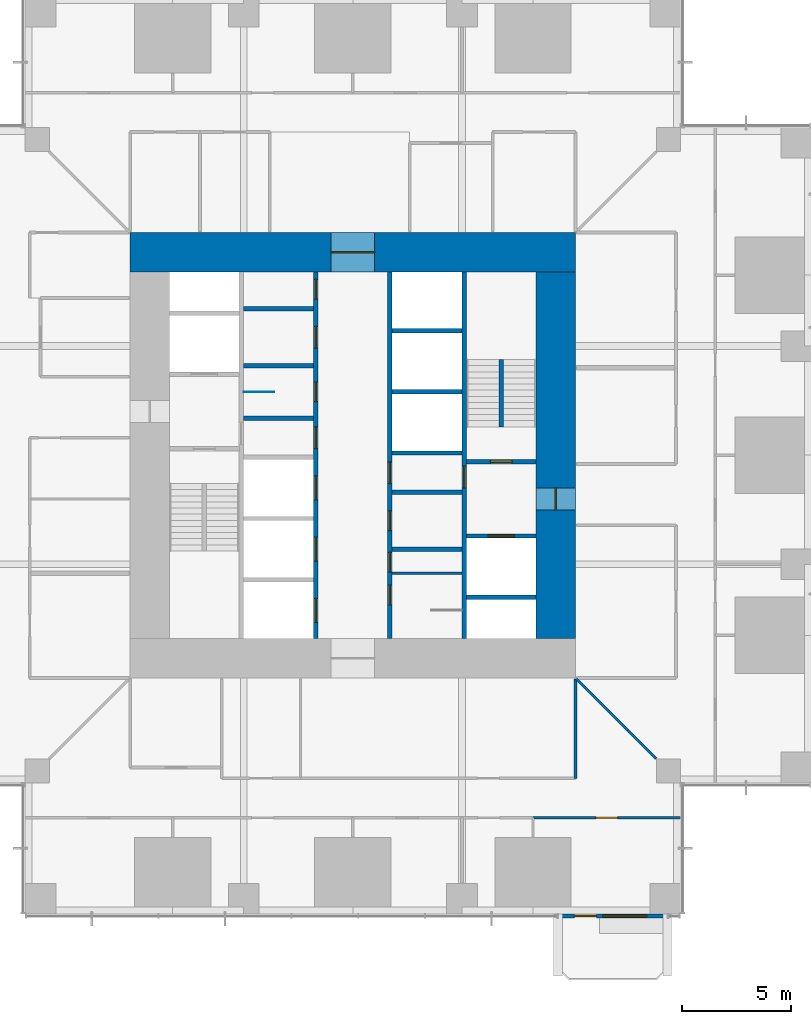
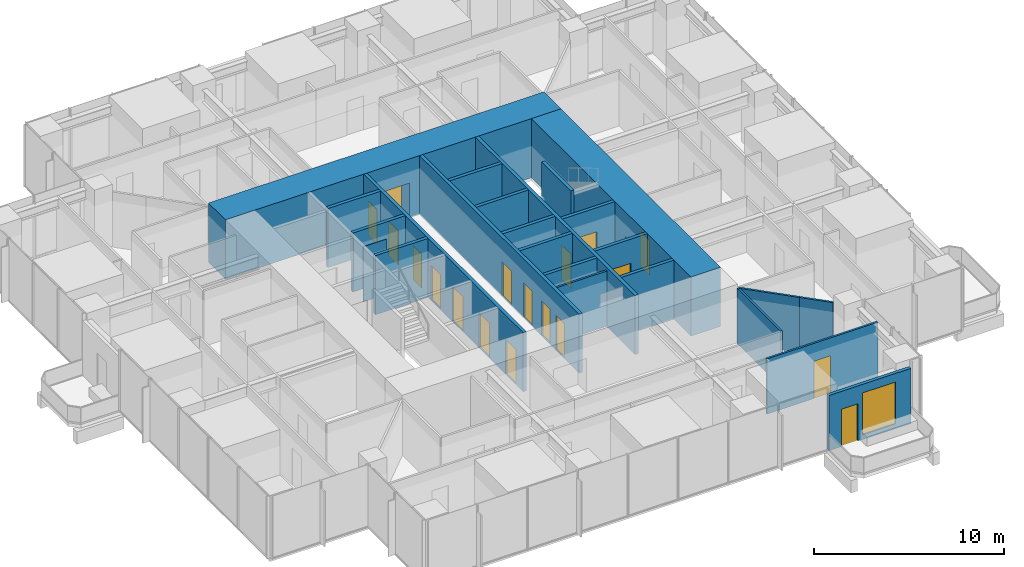
# One storey, part 11 of 17: 24 walls, 18 doors, 1 window, 19 openings.
"""IFC4 building model written with IfcOpenShell, lengths in metres."""

from ifc_helpers import new_model, si_unit, direction, frame, frame_2d, origin, place, context, subcontext, project, spatial, rectangle, extrude, material, layer, layer_set, type_object, element, fill, save


model = new_model("IFC4")

# Units and contexts
model_context = context("Model", 3, precision=1e-05, world=origin(), true_north=direction((0.0, 1.0)))
body_context = subcontext(model_context, "Body", "Model", "MODEL_VIEW")
ifc_project = project(units=[si_unit("LENGTHUNIT", "METRE"), si_unit("AREAUNIT", "SQUARE_METRE"), si_unit("VOLUMEUNIT", "CUBIC_METRE"), si_unit("PLANEANGLEUNIT", "RADIAN"), si_unit("MASSUNIT", "GRAM", prefix="KILO")], contexts=[model_context])

# Site, building, storey
site_placement = place(None, origin())
site = spatial("IfcSite", under=ifc_project, at=site_placement, CompositionType="ELEMENT")
building_placement = place(site_placement, origin())
building = spatial("IfcBuilding", under=site, at=building_placement, Name="Svetlomir Tower", CompositionType="ELEMENT")
storey_placement = place(building_placement, frame((0.0, 0.0, 82.5)))
storey = spatial("IfcBuildingStorey", under=building, at=storey_placement, Name="L19", CompositionType="ELEMENT", Elevation=82.5)

# Wall, openings, door, window
ifc_material_1 = material(Name="Bronze anodised aluminium glazed screen", Category="aluminium")
ifc_layer_1 = layer(ifc_material_1, 0.199951171875)
ifc_layer_set_1 = layer_set([ifc_layer_1], Name="Bronze anodised aluminium glazed screen")
wall_type_1 = type_object("IfcWallType", Name="BALCONY SCREEN WALL 200", PredefinedType="USERDEFINED", material=ifc_layer_set_1)
wall_1_placement = place(storey_placement, frame((30.39990234375, -0.10009765625, 0.0), z_axis=(0.0, 0.0, 1.0), x_axis=(1.0, 0.0, 0.0)))
wall_1 = element("IfcWall", 1, at=wall_1_placement, inside=storey, type_object=wall_type_1, Name="Balcony screen S", ObjectType="GLAZED SCREEN", PredefinedType="USERDEFINED", context=body_context, shape_type="SweptSolid", body=[
    extrude(rectangle(XDim=5.0, YDim=0.199951171875, at=frame_2d((2.5, 0.0))), origin(), (0.0, 0.0, 1.0), 3.550048828125),
])
opening_1_placement = place(wall_1_placement, frame((0.75, 0.0, 0.0)))
opening_1 = element("IfcOpeningElement", 2, at=opening_1_placement, cuts=wall_1, Name="Opening BD", PredefinedType="OPENING", context=body_context, shape_type="SweptSolid", body=[
    extrude(rectangle(XDim=1.0, YDim=2.39990234375, at=frame_2d((0.5, 1.199951171875))), frame((0.0, 0.10986328125, 0.0), z_axis=(0.0, -1.0, 0.0), x_axis=(1.0, 0.0, 0.0)), (0.0, 0.0, 1.0), 0.219970703125),
])
opening_2_placement = place(wall_1_placement, frame((2.050048828125, 0.0, 0.300048828125)))
opening_2 = element("IfcOpeningElement", 3, at=opening_2_placement, cuts=wall_1, Name="Opening WS", PredefinedType="OPENING", context=body_context, shape_type="SweptSolid", body=[
    extrude(rectangle(XDim=2.0, YDim=2.699951171875, at=frame_2d((1.0, 1.35009765625))), frame((0.0, 0.10986328125, 0.0), z_axis=(0.0, -1.0, 0.0), x_axis=(1.0, 0.0, 0.0)), (0.0, 0.0, 1.0), 0.219970703125),
])
ifc_material_2 = material(Name="Bronze anodised aluminium glazed door", Category="aluminium")
door_type_1 = type_object("IfcDoorType", Name="BALCONY DOOR BD 1000x2400", OperationType="SINGLE_SWING_LEFT", PredefinedType="DOOR", material=ifc_material_2)
door_1_placement = place(opening_1_placement, origin())
door_1 = element("IfcDoor", 4, at=door_1_placement, inside=storey, type_object=door_type_1, Name="Balcony screen S door", OperationType="SINGLE_SWING_LEFT", OverallHeight=2.39990234375, OverallWidth=1.0, PredefinedType="DOOR", context=body_context, shape_type="SweptSolid", body=[
    extrude(rectangle(XDim=1.0, YDim=2.39990234375, at=frame_2d((0.5, 1.199951171875))), frame((0.0, 0.02490234375, 0.0), z_axis=(0.0, -1.0, 0.0), x_axis=(1.0, 0.0, 0.0)), (0.0, 0.0, 1.0), 0.050048828125),
])
fill(opening_1, door_1)
ifc_material_3 = material(Name="Bronze anodised aluminium window", Category="aluminium")
window_type = type_object("IfcWindowType", Name="SCREEN WINDOW WS 2000x2700", PartitioningType="SINGLE_PANEL", PredefinedType="WINDOW", material=ifc_material_3)
window_placement = place(opening_2_placement, origin())
window = element("IfcWindow", 5, at=window_placement, inside=storey, type_object=window_type, Name="Balcony screen S window 1", OverallHeight=2.699951171875, OverallWidth=2.0, PartitioningType="SINGLE_PANEL", PredefinedType="WINDOW", context=body_context, shape_type="SweptSolid", body=[
    extrude(rectangle(XDim=2.0, YDim=2.699951171875, at=frame_2d((1.0, 1.35009765625))), frame((0.0, 0.030029296875, 0.0), z_axis=(0.0, -1.0, 0.0), x_axis=(1.0, 0.0, 0.0)), (0.0, 0.0, 1.0), 0.06005859375),
])
fill(opening_2, window)

# Wall, openings, doors
ifc_material_4 = material(Name="Concrete C60/75", Category="concrete")
ifc_layer_2 = layer(ifc_material_4, 0.199951171875)
ifc_layer_set_2 = layer_set([ifc_layer_2], Name="Concrete C60/75")
wall_type_2 = type_object("IfcWallType", Name="CORE INNER WALL 200", PredefinedType="SHEAR", material=ifc_layer_set_2)
wall_2_placement = place(storey_placement, frame((19.300048828125, 12.60009765625, -0.050048828125), z_axis=(0.0, 0.0, 1.0), x_axis=(0.0, 1.0, 0.0)))
wall_2 = element("IfcWall", 6, at=wall_2_placement, inside=storey, type_object=wall_type_2, Name="Core inner wall 19.3 L19", PredefinedType="SHEAR", context=body_context, shape_type="SweptSolid", body=[
    extrude(rectangle(XDim=16.7998046875, YDim=0.199951171875, at=frame_2d((8.39990234375, 0.0))), origin(), (0.0, 0.0, 1.0), 3.800048828125),
])
opening_3_placement = place(wall_2_placement, frame((8.699951171875, 0.0, 0.050048828125)))
opening_3 = element("IfcOpeningElement", 7, at=opening_3_placement, cuts=wall_2, Name="Opening DC", PredefinedType="OPENING", context=body_context, shape_type="SweptSolid", body=[
    extrude(rectangle(XDim=1.0, YDim=2.199951171875, at=frame_2d((0.5, 1.10009765625))), frame((0.0, 0.10986328125, 0.0), z_axis=(0.0, -1.0, 0.0), x_axis=(1.0, 0.0, 0.0)), (0.0, 0.0, 1.0), 0.219970703125),
])
opening_4_placement = place(wall_2_placement, frame((10.85009765625, 0.0, 0.050048828125)))
opening_4 = element("IfcOpeningElement", 8, at=opening_4_placement, cuts=wall_2, Name="Opening DW", PredefinedType="OPENING", context=body_context, shape_type="SweptSolid", body=[
    extrude(rectangle(XDim=0.89990234375, YDim=2.199951171875, at=frame_2d((0.449951171875, 1.10009765625))), frame((0.0, 0.10986328125, 0.0), z_axis=(0.0, -1.0, 0.0), x_axis=(1.0, 0.0, 0.0)), (0.0, 0.0, 1.0), 0.219970703125),
])
opening_5_placement = place(wall_2_placement, frame((13.300048828125, 0.0, 0.050048828125)))
opening_5 = element("IfcOpeningElement", 9, at=opening_5_placement, cuts=wall_2, Name="Opening DC", PredefinedType="OPENING", context=body_context, shape_type="SweptSolid", body=[
    extrude(rectangle(XDim=1.0, YDim=2.199951171875, at=frame_2d((0.5, 1.10009765625))), frame((0.0, 0.10986328125, 0.0), z_axis=(0.0, -1.0, 0.0), x_axis=(1.0, 0.0, 0.0)), (0.0, 0.0, 1.0), 0.219970703125),
])
opening_6_placement = place(wall_2_placement, frame((15.550048828125, 0.0, 0.050048828125)))
opening_6 = element("IfcOpeningElement", 10, at=opening_6_placement, cuts=wall_2, Name="Opening DW", PredefinedType="OPENING", context=body_context, shape_type="SweptSolid", body=[
    extrude(rectangle(XDim=0.89990234375, YDim=2.199951171875, at=frame_2d((0.449951171875, 1.10009765625))), frame((0.0, 0.10986328125, 0.0), z_axis=(0.0, -1.0, 0.0), x_axis=(1.0, 0.0, 0.0)), (0.0, 0.0, 1.0), 0.219970703125),
])
opening_7_placement = place(wall_2_placement, frame((0.75, 0.0, 0.050048828125)))
opening_7 = element("IfcOpeningElement", 11, at=opening_7_placement, cuts=wall_2, Name="Opening LD", PredefinedType="OPENING", context=body_context, shape_type="SweptSolid", body=[
    extrude(rectangle(XDim=1.10009765625, YDim=2.199951171875, at=frame_2d((0.550048828125, 1.10009765625))), frame((0.0, 0.10986328125, 0.0), z_axis=(0.0, -1.0, 0.0), x_axis=(1.0, 0.0, 0.0)), (0.0, 0.0, 1.0), 0.219970703125),
])
opening_8_placement = place(wall_2_placement, frame((3.550048828125, 0.0, 0.050048828125)))
opening_8 = element("IfcOpeningElement", 12, at=opening_8_placement, cuts=wall_2, Name="Opening LD", PredefinedType="OPENING", context=body_context, shape_type="SweptSolid", body=[
    extrude(rectangle(XDim=1.10009765625, YDim=2.199951171875, at=frame_2d((0.550048828125, 1.10009765625))), frame((0.0, 0.10986328125, 0.0), z_axis=(0.0, -1.0, 0.0), x_axis=(1.0, 0.0, 0.0)), (0.0, 0.0, 1.0), 0.219970703125),
])
opening_9_placement = place(wall_2_placement, frame((6.35009765625, 0.0, 0.050048828125)))
opening_9 = element("IfcOpeningElement", 13, at=opening_9_placement, cuts=wall_2, Name="Opening LD", PredefinedType="OPENING", context=body_context, shape_type="SweptSolid", body=[
    extrude(rectangle(XDim=1.10009765625, YDim=2.199951171875, at=frame_2d((0.550048828125, 1.10009765625))), frame((0.0, 0.10986328125, 0.0), z_axis=(0.0, -1.0, 0.0), x_axis=(1.0, 0.0, 0.0)), (0.0, 0.0, 1.0), 0.219970703125),
])
ifc_material_5 = material(Name="Timber fire door", Category="wood")
door_type_2 = type_object("IfcDoorType", Name="DOOR DC 1000x2200", OperationType="SINGLE_SWING_LEFT", PredefinedType="DOOR", material=ifc_material_5)
door_2_placement = place(opening_3_placement, origin())
door_2 = element("IfcDoor", 14, at=door_2_placement, inside=storey, type_object=door_type_2, Name="Core corridor west lobby door L19", OperationType="SINGLE_SWING_RIGHT", OverallHeight=2.199951171875, OverallWidth=1.0, PredefinedType="DOOR", context=body_context, shape_type="SweptSolid", body=[
    extrude(rectangle(XDim=1.0, YDim=2.199951171875, at=frame_2d((0.5, 1.10009765625))), frame((0.0, 0.02490234375, 0.0), z_axis=(0.0, -1.0, 0.0), x_axis=(1.0, 0.0, 0.0)), (0.0, 0.0, 1.0), 0.050048828125),
])
fill(opening_3, door_2)
door_3_placement = place(opening_5_placement, origin())
door_3 = element("IfcDoor", 15, at=door_3_placement, inside=storey, type_object=door_type_2, Name="Accessible WC door L19", OperationType="SINGLE_SWING_LEFT", OverallHeight=2.199951171875, OverallWidth=1.0, PredefinedType="DOOR", context=body_context, shape_type="SweptSolid", body=[
    extrude(rectangle(XDim=1.0, YDim=2.199951171875, at=frame_2d((0.5, 1.10009765625))), frame((0.0, 0.02490234375, 0.0), z_axis=(0.0, -1.0, 0.0), x_axis=(1.0, 0.0, 0.0)), (0.0, 0.0, 1.0), 0.050048828125),
])
fill(opening_5, door_3)
ifc_material_6 = material(Name="Timber fire door", Category="wood")
door_type_3 = type_object("IfcDoorType", Name="DOOR DW 900x2200", OperationType="SINGLE_SWING_LEFT", PredefinedType="DOOR", material=ifc_material_6)
door_4_placement = place(opening_4_placement, origin())
door_4 = element("IfcDoor", 16, at=door_4_placement, inside=storey, type_object=door_type_3, Name="Female WC door L19", OperationType="SINGLE_SWING_RIGHT", OverallHeight=2.199951171875, OverallWidth=0.89990234375, PredefinedType="DOOR", context=body_context, shape_type="SweptSolid", body=[
    extrude(rectangle(XDim=0.89990234375, YDim=2.199951171875, at=frame_2d((0.449951171875, 1.10009765625))), frame((0.0, 0.02490234375, 0.0), z_axis=(0.0, -1.0, 0.0), x_axis=(1.0, 0.0, 0.0)), (0.0, 0.0, 1.0), 0.050048828125),
])
fill(opening_4, door_4)
door_5_placement = place(opening_6_placement, origin())
door_5 = element("IfcDoor", 17, at=door_5_placement, inside=storey, type_object=door_type_3, Name="IT floor distributor room door L19", OperationType="SINGLE_SWING_RIGHT", OverallHeight=2.199951171875, OverallWidth=0.89990234375, PredefinedType="DOOR", context=body_context, shape_type="SweptSolid", body=[
    extrude(rectangle(XDim=0.89990234375, YDim=2.199951171875, at=frame_2d((0.449951171875, 1.10009765625))), frame((0.0, 0.02490234375, 0.0), z_axis=(0.0, -1.0, 0.0), x_axis=(1.0, 0.0, 0.0)), (0.0, 0.0, 1.0), 0.050048828125),
])
fill(opening_6, door_5)
ifc_material_7 = material(Name="Stainless steel landing door", Category="steel")
door_type_4 = type_object("IfcDoorType", Name="LIFT LANDING DOOR LD 1100x2200", OperationType="DOUBLE_DOOR_SLIDING", PredefinedType="DOOR", material=ifc_material_7)
door_6_placement = place(opening_7_placement, origin())
door_6 = element("IfcDoor", 18, at=door_6_placement, inside=storey, type_object=door_type_4, Name="Landing door lift LA1 L19", OperationType="DOUBLE_DOOR_SLIDING", OverallHeight=2.199951171875, OverallWidth=1.10009765625, PredefinedType="DOOR", context=body_context, shape_type="SweptSolid", body=[
    extrude(rectangle(XDim=1.10009765625, YDim=2.199951171875, at=frame_2d((0.550048828125, 1.10009765625))), frame((0.0, 0.02490234375, 0.0), z_axis=(0.0, -1.0, 0.0), x_axis=(1.0, 0.0, 0.0)), (0.0, 0.0, 1.0), 0.050048828125),
])
fill(opening_7, door_6)
door_7_placement = place(opening_8_placement, origin())
door_7 = element("IfcDoor", 19, at=door_7_placement, inside=storey, type_object=door_type_4, Name="Landing door lift LA2 L19", OperationType="DOUBLE_DOOR_SLIDING", OverallHeight=2.199951171875, OverallWidth=1.10009765625, PredefinedType="DOOR", context=body_context, shape_type="SweptSolid", body=[
    extrude(rectangle(XDim=1.10009765625, YDim=2.199951171875, at=frame_2d((0.550048828125, 1.10009765625))), frame((0.0, 0.02490234375, 0.0), z_axis=(0.0, -1.0, 0.0), x_axis=(1.0, 0.0, 0.0)), (0.0, 0.0, 1.0), 0.050048828125),
])
fill(opening_8, door_7)
door_8_placement = place(opening_9_placement, origin())
door_8 = element("IfcDoor", 20, at=door_8_placement, inside=storey, type_object=door_type_4, Name="Landing door lift LA3 L19", OperationType="DOUBLE_DOOR_SLIDING", OverallHeight=2.199951171875, OverallWidth=1.10009765625, PredefinedType="DOOR", context=body_context, shape_type="SweptSolid", body=[
    extrude(rectangle(XDim=1.10009765625, YDim=2.199951171875, at=frame_2d((0.550048828125, 1.10009765625))), frame((0.0, 0.02490234375, 0.0), z_axis=(0.0, -1.0, 0.0), x_axis=(1.0, 0.0, 0.0)), (0.0, 0.0, 1.0), 0.050048828125),
])
fill(opening_9, door_8)

wall_3_placement = place(storey_placement, frame((22.699951171875, 12.60009765625, -0.050048828125), z_axis=(0.0, 0.0, 1.0), x_axis=(0.0, 1.0, 0.0)))
wall_3 = element("IfcWall", 21, at=wall_3_placement, inside=storey, type_object=wall_type_2, Name="Core inner wall 22.7 L19", PredefinedType="SHEAR", context=body_context, shape_type="SweptSolid", body=[
    extrude(rectangle(XDim=16.7998046875, YDim=0.199951171875, at=frame_2d((8.39990234375, 0.0))), origin(), (0.0, 0.0, 1.0), 3.800048828125),
])
opening_10_placement = place(wall_3_placement, frame((3.050048828125, 0.0, 0.050048828125)))
opening_10 = element("IfcOpeningElement", 22, at=opening_10_placement, cuts=wall_3, Name="Opening DW", PredefinedType="OPENING", context=body_context, shape_type="SweptSolid", body=[
    extrude(rectangle(XDim=0.89990234375, YDim=2.199951171875, at=frame_2d((0.449951171875, 1.10009765625))), frame((0.0, 0.10986328125, 0.0), z_axis=(0.0, -1.0, 0.0), x_axis=(1.0, 0.0, 0.0)), (0.0, 0.0, 1.0), 0.219970703125),
])
opening_11_placement = place(wall_3_placement, frame((7.10009765625, 0.0, 0.050048828125)))
opening_11 = element("IfcOpeningElement", 23, at=opening_11_placement, cuts=wall_3, Name="Opening DC", PredefinedType="OPENING", context=body_context, shape_type="SweptSolid", body=[
    extrude(rectangle(XDim=1.0, YDim=2.199951171875, at=frame_2d((0.5, 1.10009765625))), frame((0.0, 0.10986328125, 0.0), z_axis=(0.0, -1.0, 0.0), x_axis=(1.0, 0.0, 0.0)), (0.0, 0.0, 1.0), 0.219970703125),
])
opening_12_placement = place(wall_3_placement, frame((1.550048828125, 0.0, 0.050048828125)))
opening_12 = element("IfcOpeningElement", 24, at=opening_12_placement, cuts=wall_3, Name="Opening DW", PredefinedType="OPENING", context=body_context, shape_type="SweptSolid", body=[
    extrude(rectangle(XDim=0.89990234375, YDim=2.199951171875, at=frame_2d((0.449951171875, 1.10009765625))), frame((0.0, 0.10986328125, 0.0), z_axis=(0.0, -1.0, 0.0), x_axis=(1.0, 0.0, 0.0)), (0.0, 0.0, 1.0), 0.219970703125),
])
opening_13_placement = place(wall_3_placement, frame((4.949951171875, 0.0, 0.050048828125)))
opening_13 = element("IfcOpeningElement", 25, at=opening_13_placement, cuts=wall_3, Name="Opening DW", PredefinedType="OPENING", context=body_context, shape_type="SweptSolid", body=[
    extrude(rectangle(XDim=0.89990234375, YDim=2.199951171875, at=frame_2d((0.449951171875, 1.10009765625))), frame((0.0, 0.10986328125, 0.0), z_axis=(0.0, -1.0, 0.0), x_axis=(1.0, 0.0, 0.0)), (0.0, 0.0, 1.0), 0.219970703125),
])
door_9_placement = place(opening_11_placement, origin())
door_9 = element("IfcDoor", 26, at=door_9_placement, inside=storey, type_object=door_type_2, Name="Core corridor east lobby door L19", OperationType="SINGLE_SWING_LEFT", OverallHeight=2.199951171875, OverallWidth=1.0, PredefinedType="DOOR", context=body_context, shape_type="SweptSolid", body=[
    extrude(rectangle(XDim=1.0, YDim=2.199951171875, at=frame_2d((0.5, 1.10009765625))), frame((0.0, 0.02490234375, 0.0), z_axis=(0.0, -1.0, 0.0), x_axis=(1.0, 0.0, 0.0)), (0.0, 0.0, 1.0), 0.050048828125),
])
fill(opening_11, door_9)
door_10_placement = place(opening_10_placement, origin())
door_10 = element("IfcDoor", 27, at=door_10_placement, inside=storey, type_object=door_type_3, Name="Shower and changing room door L19", OperationType="SINGLE_SWING_LEFT", OverallHeight=2.199951171875, OverallWidth=0.89990234375, PredefinedType="DOOR", context=body_context, shape_type="SweptSolid", body=[
    extrude(rectangle(XDim=0.89990234375, YDim=2.199951171875, at=frame_2d((0.449951171875, 1.10009765625))), frame((0.0, 0.02490234375, 0.0), z_axis=(0.0, -1.0, 0.0), x_axis=(1.0, 0.0, 0.0)), (0.0, 0.0, 1.0), 0.050048828125),
])
fill(opening_10, door_10)
door_11_placement = place(opening_12_placement, origin())
door_11 = element("IfcDoor", 28, at=door_11_placement, inside=storey, type_object=door_type_3, Name="Male WC door L19", OperationType="SINGLE_SWING_RIGHT", OverallHeight=2.199951171875, OverallWidth=0.89990234375, PredefinedType="DOOR", context=body_context, shape_type="SweptSolid", body=[
    extrude(rectangle(XDim=0.89990234375, YDim=2.199951171875, at=frame_2d((0.449951171875, 1.10009765625))), frame((0.0, 0.02490234375, 0.0), z_axis=(0.0, -1.0, 0.0), x_axis=(1.0, 0.0, 0.0)), (0.0, 0.0, 1.0), 0.050048828125),
])
fill(opening_12, door_11)
door_12_placement = place(opening_13_placement, origin())
door_12 = element("IfcDoor", 29, at=door_12_placement, inside=storey, type_object=door_type_3, Name="Comms room door L19", OperationType="SINGLE_SWING_RIGHT", OverallHeight=2.199951171875, OverallWidth=0.89990234375, PredefinedType="DOOR", context=body_context, shape_type="SweptSolid", body=[
    extrude(rectangle(XDim=0.89990234375, YDim=2.199951171875, at=frame_2d((0.449951171875, 1.10009765625))), frame((0.0, 0.02490234375, 0.0), z_axis=(0.0, -1.0, 0.0), x_axis=(1.0, 0.0, 0.0)), (0.0, 0.0, 1.0), 0.050048828125),
])
fill(opening_13, door_12)

# Wall, opening, door
wall_4_placement = place(storey_placement, frame((26.10009765625, 12.60009765625, -0.050048828125), z_axis=(0.0, 0.0, 1.0), x_axis=(0.0, 1.0, 0.0)))
wall_4 = element("IfcWall", 30, at=wall_4_placement, inside=storey, type_object=wall_type_2, Name="Core inner wall 26.1 L19", PredefinedType="SHEAR", context=body_context, shape_type="SweptSolid", body=[
    extrude(rectangle(XDim=16.7998046875, YDim=0.199951171875, at=frame_2d((8.39990234375, 0.0))), origin(), (0.0, 0.0, 1.0), 3.800048828125),
])
opening_14_placement = place(wall_4_placement, frame((6.89990234375, 0.0, 0.050048828125)))
opening_14 = element("IfcOpeningElement", 31, at=opening_14_placement, cuts=wall_4, Name="Opening DF", PredefinedType="OPENING", context=body_context, shape_type="SweptSolid", body=[
    extrude(rectangle(XDim=1.0, YDim=2.199951171875, at=frame_2d((0.5, 1.10009765625))), frame((0.0, 0.10986328125, 0.0), z_axis=(0.0, -1.0, 0.0), x_axis=(1.0, 0.0, 0.0)), (0.0, 0.0, 1.0), 0.219970703125),
])
ifc_material_8 = material(Name="Steel fire door", Category="steel")
door_type_5 = type_object("IfcDoorType", Name="DOOR DF 1000x2200", OperationType="SINGLE_SWING_LEFT", PredefinedType="DOOR", material=ifc_material_8)
door_13_placement = place(opening_14_placement, origin())
door_13 = element("IfcDoor", 32, at=door_13_placement, inside=storey, type_object=door_type_5, Name="Core corridor east door L19", OperationType="SINGLE_SWING_LEFT", OverallHeight=2.199951171875, OverallWidth=1.0, PredefinedType="DOOR", context=body_context, shape_type="SweptSolid", body=[
    extrude(rectangle(XDim=1.0, YDim=2.199951171875, at=frame_2d((0.5, 1.10009765625))), frame((0.0, 0.02490234375, 0.0), z_axis=(0.0, -1.0, 0.0), x_axis=(1.0, 0.0, 0.0)), (0.0, 0.0, 1.0), 0.050048828125),
])
fill(opening_14, door_13)

# Walls
for number, where, z_axis, x_axis, name in (
    (33, (16.0, 22.699951171875, -0.050048828125), (0.0, 0.0, 1.0), (1.0, 0.0, 0.0), "Core inner wall 16-19.2/22.7 L19"),
    (34, (16.0, 25.10009765625, -0.050048828125), (0.0, 0.0, 1.0), (1.0, 0.0, 0.0), "Core inner wall 16-19.2/25.1 L19"),
    (35, (16.0, 27.699951171875, -0.050048828125), (0.0, 0.0, 1.0), (1.0, 0.0, 0.0), "Core inner wall 16-19.2/27.7 L19"),
    (36, (22.800048828125, 16.699951171875, -0.050048828125), (0.0, 0.0, 1.0), (1.0, 0.0, 0.0), "Core inner wall 22.8-26/16.7 L19"),
    (37, (22.800048828125, 19.300048828125, -0.050048828125), (0.0, 0.0, 1.0), (1.0, 0.0, 0.0), "Core inner wall 22.8-26/19.3 L19"),
    (38, (22.800048828125, 21.10009765625, -0.050048828125), (0.0, 0.0, 1.0), (1.0, 0.0, 0.0), "Core inner wall 22.8-26/21.1 L19"),
    (39, (22.800048828125, 23.89990234375, -0.050048828125), (0.0, 0.0, 1.0), (1.0, 0.0, 0.0), "Core inner wall 22.8-26/23.9 L19"),
    (40, (22.800048828125, 26.699951171875, -0.050048828125), (0.0, 0.0, 1.0), (1.0, 0.0, 0.0), "Core inner wall 22.8-26/26.7 L19"),
    (41, (26.199951171875, 14.5, -0.050048828125), (0.0, 0.0, 1.0), (1.0, 0.0, 0.0), "Core inner wall 26.2-29.4/14.5 L19"),
):
    element("IfcWall", number, at=place(storey_placement, frame(where, z_axis=z_axis, x_axis=x_axis)), inside=storey, type_object=wall_type_2, Name=name, PredefinedType="SHEAR", context=body_context, shape_type="SweptSolid", body=[
        extrude(rectangle(XDim=3.199951171875, YDim=0.199951171875, at=frame_2d((1.60009765625, 0.0))), origin(), (0.0, 0.0, 1.0), 3.800048828125),
    ])

# Wall, opening, door
wall_5_placement = place(storey_placement, frame((26.199951171875, 17.300048828125, -0.050048828125), z_axis=(0.0, 0.0, 1.0), x_axis=(1.0, 0.0, 0.0)))
wall_5 = element("IfcWall", 42, at=wall_5_placement, inside=storey, type_object=wall_type_2, Name="Core inner wall 26.2-29.4/17.3 L19", PredefinedType="SHEAR", context=body_context, shape_type="SweptSolid", body=[
    extrude(rectangle(XDim=3.199951171875, YDim=0.199951171875, at=frame_2d((1.60009765625, 0.0))), origin(), (0.0, 0.0, 1.0), 3.800048828125),
])
opening_15_placement = place(wall_5_placement, frame((1.0, 0.0, 0.050048828125)))
opening_15 = element("IfcOpeningElement", 43, at=opening_15_placement, cuts=wall_5, Name="Opening LD3", PredefinedType="OPENING", context=body_context, shape_type="SweptSolid", body=[
    extrude(rectangle(XDim=1.199951171875, YDim=2.199951171875, at=frame_2d((0.60009765625, 1.10009765625))), frame((0.0, 0.10986328125, 0.0), z_axis=(0.0, -1.0, 0.0), x_axis=(1.0, 0.0, 0.0)), (0.0, 0.0, 1.0), 0.219970703125),
])
ifc_material_9 = material(Name="Stainless steel fire-rated landing door", Category="steel")
door_type_6 = type_object("IfcDoorType", Name="FIREFIGHTING LIFT LANDING DOOR LD3 1200x2200", OperationType="DOUBLE_DOOR_SLIDING", PredefinedType="DOOR", material=ifc_material_9)
door_14_placement = place(opening_15_placement, origin())
door_14 = element("IfcDoor", 44, at=door_14_placement, inside=storey, type_object=door_type_6, Name="Landing door lift FL2 L19", OperationType="DOUBLE_DOOR_SLIDING", OverallHeight=2.199951171875, OverallWidth=1.199951171875, PredefinedType="DOOR", context=body_context, shape_type="SweptSolid", body=[
    extrude(rectangle(XDim=1.199951171875, YDim=2.199951171875, at=frame_2d((0.60009765625, 1.10009765625))), frame((0.0, 0.02490234375, 0.0), z_axis=(0.0, -1.0, 0.0), x_axis=(1.0, 0.0, 0.0)), (0.0, 0.0, 1.0), 0.050048828125),
])
fill(opening_15, door_14)

wall_6_placement = place(storey_placement, frame((26.199951171875, 20.699951171875, -0.050048828125), z_axis=(0.0, 0.0, 1.0), x_axis=(1.0, 0.0, 0.0)))
wall_6 = element("IfcWall", 45, at=wall_6_placement, inside=storey, type_object=wall_type_2, Name="Core inner wall 26.2-29.4/20.7 L19", PredefinedType="SHEAR", context=body_context, shape_type="SweptSolid", body=[
    extrude(rectangle(XDim=3.199951171875, YDim=0.199951171875, at=frame_2d((1.60009765625, 0.0))), origin(), (0.0, 0.0, 1.0), 3.800048828125),
])
opening_16_placement = place(wall_6_placement, frame((1.10009765625, 0.0, 0.050048828125)))
opening_16 = element("IfcOpeningElement", 46, at=opening_16_placement, cuts=wall_6, Name="Opening DF", PredefinedType="OPENING", context=body_context, shape_type="SweptSolid", body=[
    extrude(rectangle(XDim=1.0, YDim=2.199951171875, at=frame_2d((0.5, 1.10009765625))), frame((0.0, 0.10986328125, 0.0), z_axis=(0.0, -1.0, 0.0), x_axis=(1.0, 0.0, 0.0)), (0.0, 0.0, 1.0), 0.219970703125),
])
door_15_placement = place(opening_16_placement, origin())
door_15 = element("IfcDoor", 47, at=door_15_placement, inside=storey, type_object=door_type_5, Name="Stair S2 door L19", OperationType="SINGLE_SWING_LEFT", OverallHeight=2.199951171875, OverallWidth=1.0, PredefinedType="DOOR", context=body_context, shape_type="SweptSolid", body=[
    extrude(rectangle(XDim=1.0, YDim=2.199951171875, at=frame_2d((0.5, 1.10009765625))), frame((0.0, 0.02490234375, 0.0), z_axis=(0.0, -1.0, 0.0), x_axis=(1.0, 0.0, 0.0)), (0.0, 0.0, 1.0), 0.050048828125),
])
fill(opening_16, door_15)

ifc_material_10 = material(Name="Concrete C60/75", Category="concrete")
ifc_layer_3 = layer(ifc_material_10, 1.800048828125)
ifc_layer_set_3 = layer_set([ifc_layer_3], Name="Concrete C60/75")
wall_type_3 = type_object("IfcWallType", Name="CORE WALL 1800", PredefinedType="SHEAR", material=ifc_layer_set_3)
wall_7_placement = place(storey_placement, frame((10.800048828125, 30.300048828125, -0.050048828125), z_axis=(0.0, 0.0, 1.0), x_axis=(1.0, 0.0, 0.0)))
wall_7 = element("IfcWall", 48, at=wall_7_placement, inside=storey, type_object=wall_type_3, Name="Core wall north L19", PredefinedType="SHEAR", context=body_context, shape_type="SweptSolid", body=[
    extrude(rectangle(XDim=20.39990234375, YDim=1.800048828125, at=frame_2d((10.199951171875, 0.0))), origin(), (0.0, 0.0, 1.0), 3.800048828125),
])
opening_17_placement = place(wall_7_placement, frame((9.199951171875, 0.0, 0.050048828125)))
opening_17 = element("IfcOpeningElement", 49, at=opening_17_placement, cuts=wall_7, Name="Opening DL", PredefinedType="OPENING", context=body_context, shape_type="SweptSolid", body=[
    extrude(rectangle(XDim=2.0, YDim=2.199951171875, at=frame_2d((1.0, 1.10009765625))), frame((0.0, 0.91015625, 0.0), z_axis=(0.0, -1.0, 0.0), x_axis=(1.0, 0.0, 0.0)), (0.0, 0.0, 1.0), 1.820068359375),
])
ifc_material_11 = material(Name="Steel fire door", Category="steel")
door_type_7 = type_object("IfcDoorType", Name="DOOR DL 2000x2200", OperationType="DOUBLE_DOOR_SINGLE_SWING", PredefinedType="DOOR", material=ifc_material_11)
door_16_placement = place(opening_17_placement, origin())
door_16 = element("IfcDoor", 50, at=door_16_placement, inside=storey, type_object=door_type_7, Name="Lift lobby north door L19", OperationType="DOUBLE_DOOR_SINGLE_SWING", OverallHeight=2.199951171875, OverallWidth=2.0, PredefinedType="DOOR", context=body_context, shape_type="SweptSolid", body=[
    extrude(rectangle(XDim=2.0, YDim=2.199951171875, at=frame_2d((1.0, 1.10009765625))), frame((0.0, 0.02490234375, 0.0), z_axis=(0.0, -1.0, 0.0), x_axis=(1.0, 0.0, 0.0)), (0.0, 0.0, 1.0), 0.050048828125),
])
fill(opening_17, door_16)

wall_8_placement = place(storey_placement, frame((30.300048828125, 12.60009765625, -0.050048828125), z_axis=(0.0, 0.0, 1.0), x_axis=(0.0, 1.0, 0.0)))
wall_8 = element("IfcWall", 51, at=wall_8_placement, inside=storey, type_object=wall_type_3, Name="Core wall east L19", PredefinedType="SHEAR", context=body_context, shape_type="SweptSolid", body=[
    extrude(rectangle(XDim=16.7998046875, YDim=1.800048828125, at=frame_2d((8.39990234375, 0.0))), origin(), (0.0, 0.0, 1.0), 3.800048828125),
])
opening_18_placement = place(wall_8_placement, frame((5.89990234375, 0.0, 0.050048828125)))
opening_18 = element("IfcOpeningElement", 52, at=opening_18_placement, cuts=wall_8, Name="Opening DF", PredefinedType="OPENING", context=body_context, shape_type="SweptSolid", body=[
    extrude(rectangle(XDim=1.0, YDim=2.199951171875, at=frame_2d((0.5, 1.10009765625))), frame((0.0, 0.91015625, 0.0), z_axis=(0.0, -1.0, 0.0), x_axis=(1.0, 0.0, 0.0)), (0.0, 0.0, 1.0), 1.820068359375),
])
door_17_placement = place(opening_18_placement, origin())
door_17 = element("IfcDoor", 53, at=door_17_placement, inside=storey, type_object=door_type_5, Name="Firefighting lobby east door L19", OperationType="SINGLE_SWING_LEFT", OverallHeight=2.199951171875, OverallWidth=1.0, PredefinedType="DOOR", context=body_context, shape_type="SweptSolid", body=[
    extrude(rectangle(XDim=1.0, YDim=2.199951171875, at=frame_2d((0.5, 1.10009765625))), frame((0.0, 0.02490234375, 0.0), z_axis=(0.0, -1.0, 0.0), x_axis=(1.0, 0.0, 0.0)), (0.0, 0.0, 1.0), 0.050048828125),
])
fill(opening_18, door_17)

# Wall
ifc_material_12 = material(Name="Gypsum board on steel studs", Category="steel")
ifc_layer_4 = layer(ifc_material_12, 0.1201171875)
ifc_layer_set_4 = layer_set([ifc_layer_4], Name="Gypsum board on steel studs")
wall_type_4 = type_object("IfcWallType", Name="PARTITION 120", PredefinedType="PARTITIONING", material=ifc_layer_set_4)
wall_9_placement = place(storey_placement, frame((22.800048828125, 15.60009765625, 0.0), z_axis=(0.0, 0.0, 1.0), x_axis=(1.0, 0.0, 0.0)))
element("IfcWall", 54, at=wall_9_placement, inside=storey, type_object=wall_type_4, Name="Shower room partition L19", PredefinedType="PARTITIONING", context=body_context, shape_type="SweptSolid", body=[
    extrude(rectangle(XDim=3.199951171875, YDim=0.1201171875, at=frame_2d((1.60009765625, 0.0))), origin(), (0.0, 0.0, 1.0), 3.550048828125),
])

# Wall, opening, door
wall_10_placement = place(storey_placement, frame((29.25, 4.39990234375, 0.0), z_axis=(0.0, 0.0, 1.0), x_axis=(1.0, 0.0, 0.0)))
wall_10 = element("IfcWall", 55, at=wall_10_placement, inside=storey, type_object=wall_type_4, Name="Partition L19", PredefinedType="PARTITIONING", context=body_context, shape_type="SweptSolid", body=[
    extrude(rectangle(XDim=6.75, YDim=0.1201171875, at=frame_2d((3.375, 0.0))), origin(), (0.0, 0.0, 1.0), 3.550048828125),
])
opening_19_placement = place(wall_10_placement, frame((2.875, 0.0, 0.0)))
opening_19 = element("IfcOpeningElement", 56, at=opening_19_placement, cuts=wall_10, Name="Opening DG", PredefinedType="OPENING", context=body_context, shape_type="SweptSolid", body=[
    extrude(rectangle(XDim=1.0, YDim=2.39990234375, at=frame_2d((0.5, 1.199951171875))), frame((0.0, 0.070068359375, 0.0), z_axis=(0.0, -1.0, 0.0), x_axis=(1.0, 0.0, 0.0)), (0.0, 0.0, 1.0), 0.14013671875),
])
ifc_material_13 = material(Name="Framed laminated glass door", Category="glass")
door_type_8 = type_object("IfcDoorType", Name="GLAZED DOOR DG 1000x2400", OperationType="SINGLE_SWING_LEFT", PredefinedType="DOOR", material=ifc_material_13)
door_18_placement = place(opening_19_placement, origin())
door_18 = element("IfcDoor", 57, at=door_18_placement, inside=storey, type_object=door_type_8, Name="Break-out and kitchenette door L19", OperationType="SINGLE_SWING_LEFT", OverallHeight=2.39990234375, OverallWidth=1.0, PredefinedType="DOOR", context=body_context, shape_type="SweptSolid", body=[
    extrude(rectangle(XDim=1.0, YDim=2.39990234375, at=frame_2d((0.5, 1.199951171875))), frame((0.0, 0.02490234375, 0.0), z_axis=(0.0, -1.0, 0.0), x_axis=(1.0, 0.0, 0.0)), (0.0, 0.0, 1.0), 0.050048828125),
])
fill(opening_19, door_18)

# Walls
wall_11_placement = place(storey_placement, frame((31.199951171875, 6.199951171875, 0.0), z_axis=(0.0, 0.0, 1.0), x_axis=(0.0, 1.0, 0.0)))
element("IfcWall", 58, at=wall_11_placement, inside=storey, type_object=wall_type_4, Name="Partition L19", PredefinedType="PARTITIONING", context=body_context, shape_type="SweptSolid", body=[
    extrude(rectangle(XDim=4.550048828125, YDim=0.1201171875, at=frame_2d((2.27490234375, 0.0))), origin(), (0.0, 0.0, 1.0), 3.550048828125),
])
wall_12_placement = place(storey_placement, frame((31.2353515625, 10.7646484375, 0.0), z_axis=(0.0, 0.0, 1.0), x_axis=(0.707106781187, -0.707106781187, 0.0)))
element("IfcWall", 59, at=wall_12_placement, inside=storey, type_object=wall_type_4, Name="Partition L19", PredefinedType="PARTITIONING", context=body_context, shape_type="SweptSolid", body=[
    extrude(rectangle(XDim=3.346435546875, YDim=0.1201171875, at=frame_2d((1.67333984375, 0.0))), origin(), (0.0, 0.0, 1.0), 3.550048828125),
])
wall_13_placement = place(storey_placement, frame((33.6015625, 8.3984375, 0.0), z_axis=(0.0, 0.0, 1.0), x_axis=(0.707106781187, -0.707106781187, 0.0)))
element("IfcWall", 60, at=wall_13_placement, inside=storey, type_object=wall_type_4, Name="Partition L19", PredefinedType="PARTITIONING", context=body_context, shape_type="SweptSolid", body=[
    extrude(rectangle(XDim=1.822021484375, YDim=0.1201171875, at=frame_2d((0.9111328125, 0.0))), origin(), (0.0, 0.0, 1.0), 3.550048828125),
])
ifc_material_14 = material(Name="Concrete C60/75", Category="concrete")
ifc_layer_5 = layer(ifc_material_14, 0.199951171875)
ifc_layer_set_5 = layer_set([ifc_layer_5], Name="Concrete C60/75")
wall_type_5 = type_object("IfcWallType", Name="STAIR SPINE WALL 200", PredefinedType="PARTITIONING", material=ifc_layer_set_5)
wall_14_placement = place(storey_placement, frame((27.800048828125, 22.300048828125, 0.0), z_axis=(0.0, 0.0, 1.0), x_axis=(0.0, 1.0, 0.0)))
element("IfcWall", 61, at=wall_14_placement, inside=storey, type_object=wall_type_5, Name="Stair S2 spine wall L19", PredefinedType="PARTITIONING", context=body_context, shape_type="SweptSolid", body=[
    extrude(rectangle(XDim=3.079833984375, YDim=0.199951171875, at=frame_2d((1.5400390625, 0.0))), origin(), (0.0, 0.0, 1.0), 4.0),
])
ifc_material_15 = material(Name="Compact laminate panel", Category="plastic")
ifc_layer_6 = layer(ifc_material_15, 0.030029296875)
ifc_layer_set_6 = layer_set([ifc_layer_6], Name="Compact laminate panel")
wall_type_6 = type_object("IfcWallType", Name="WC CUBICLE PARTITION 30", PredefinedType="PARTITIONING", material=ifc_layer_set_6)
wall_15_placement = place(storey_placement, frame((16.0, 23.89990234375, 0.0), z_axis=(0.0, 0.0, 1.0), x_axis=(1.0, 0.0, 0.0)))
element("IfcWall", 62, at=wall_15_placement, inside=storey, type_object=wall_type_6, Name="WC cubicle partition L19", PredefinedType="PARTITIONING", context=body_context, shape_type="SweptSolid", body=[
    extrude(rectangle(XDim=1.39990234375, YDim=0.030029296875, at=frame_2d((0.699951171875, 0.0))), origin(), (0.0, 0.0, 1.0), 3.550048828125),
])

save(model, "model.ifc")
